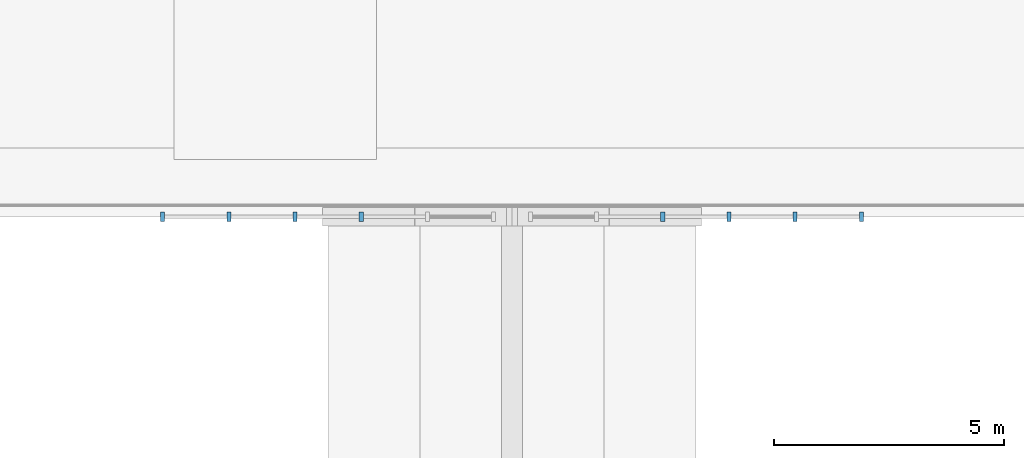
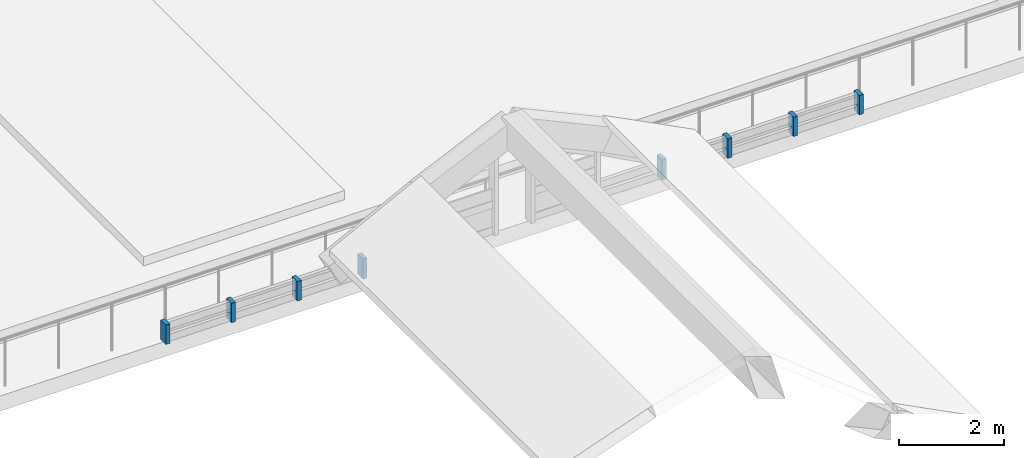
# One storey, part 30 of 49: 8 members, 2 elements without a shape of their own.
"""IFC4 building model written with IfcOpenShell, lengths in metres."""

from ifc_helpers import new_model, si_unit, direction, frame, origin, origin_2d, place, context, subcontext, project, spatial, rectangle, extrude, material, layer, layer_set, material_profile, profile_set, type_object, element, aggregate, save


model = new_model("IFC4")

# Units and contexts
model_context = context("Model", 3, precision=1e-05, world=origin(), true_north=direction((0.0, 1.0)))
body_context = subcontext(model_context, "Body", "Model", "MODEL_VIEW")
ifc_project = project(units=[si_unit("LENGTHUNIT", "METRE"), si_unit("AREAUNIT", "SQUARE_METRE"), si_unit("VOLUMEUNIT", "CUBIC_METRE"), si_unit("PLANEANGLEUNIT", "RADIAN"), si_unit("MASSUNIT", "GRAM", prefix="KILO")], contexts=[model_context])

# Site, building, storey
site_placement = place(None, origin())
site = spatial("IfcSite", under=ifc_project, at=site_placement, CompositionType="ELEMENT")
building_placement = place(site_placement, origin())
building = spatial("IfcBuilding", under=site, at=building_placement, Name="Sitalva Quay Ferry Terminal", CompositionType="ELEMENT")
storey_placement = place(building_placement, frame((0.0, 0.0, 10.199951171875)))
storey = spatial("IfcBuildingStorey", under=building, at=storey_placement, Name="L03", CompositionType="ELEMENT", Elevation=10.199951171875)

# Curtain wall, members
ifc_material_1 = material(Name="Anodised Aluminium & Low-E Glazing", Category="aluminium")
ifc_layer = layer(ifc_material_1, 0.159912109375)
ifc_layer_set = layer_set([ifc_layer], Name="Anodised Aluminium & Low-E Glazing")
curtain_wall_type = type_object("IfcCurtainWallType", Name="CW_Gable_Unitised", PredefinedType="USERDEFINED", material=ifc_layer_set)
curtain_wall_1_placement = place(storey_placement, origin())
curtain_wall_1 = element("IfcCurtainWall", 1, at=curtain_wall_1_placement, inside=storey, type_object=curtain_wall_type, Name="V1 north clerestory pointed gable (CW-L03-010)", ObjectType="CURTAIN_WALL", PredefinedType="USERDEFINED")
ifc_material_2 = material(Name="Anodised Aluminium 6063-T6", Category="aluminium")
ifc_material_profile = material_profile(ifc_material_2, rectangle(XDim=0.090087890625, YDim=0.199951171875, at=origin_2d()), Name="ALU90x200")
ifc_profile_set = profile_set([ifc_material_profile], Name="Anodised Aluminium 6063-T6")
member_type = type_object("IfcMemberType", Name="Mullion_Alu_90x200", PredefinedType="MULLION", material=ifc_profile_set)
member_1_placement = place(storey_placement, frame((50.39990234375, 100.0, 0.0), z_axis=(0.0, 0.0, 1.0), x_axis=(1.0, 0.0, 0.0)))
member_1 = element("IfcMember", 2, at=member_1_placement, type_object=member_type, Name="CW-L03-010-M0", PredefinedType="MULLION", context=body_context, shape_type="SweptSolid", body=[
    extrude(rectangle(XDim=0.090087890625, YDim=0.199951171875, at=origin_2d()), origin(), (0.0, 0.0, 1.0), 0.449951171875),
])
member_2_placement = place(storey_placement, frame((51.840087890625, 100.0, 0.0), z_axis=(0.0, 0.0, 1.0), x_axis=(1.0, 0.0, 0.0)))
member_2 = element("IfcMember", 3, at=member_2_placement, type_object=member_type, Name="CW-L03-010-M1", PredefinedType="MULLION", context=body_context, shape_type="SweptSolid", body=[
    extrude(rectangle(XDim=0.090087890625, YDim=0.199951171875, at=origin_2d()), origin(), (0.0, 0.0, 1.0), 0.449951171875),
])
member_3_placement = place(storey_placement, frame((53.280029296875, 100.0, 0.0), z_axis=(0.0, 0.0, 1.0), x_axis=(1.0, 0.0, 0.0)))
member_3 = element("IfcMember", 4, at=member_3_placement, type_object=member_type, Name="CW-L03-010-M2", PredefinedType="MULLION", context=body_context, shape_type="SweptSolid", body=[
    extrude(rectangle(XDim=0.090087890625, YDim=0.199951171875, at=origin_2d()), origin(), (0.0, 0.0, 1.0), 0.449951171875),
])
member_4_placement = place(storey_placement, frame((54.719970703125, 100.0, 0.0), z_axis=(0.0, 0.0, 1.0), x_axis=(1.0, 0.0, 0.0)))
member_4 = element("IfcMember", 5, at=member_4_placement, type_object=member_type, Name="CW-L03-010-M3", PredefinedType="MULLION", context=body_context, shape_type="SweptSolid", body=[
    extrude(rectangle(XDim=0.090087890625, YDim=0.199951171875, at=origin_2d()), origin(), (0.0, 0.0, 1.0), 0.47021484375),
])
aggregate(curtain_wall_1, [member_1, member_2, member_3, member_4])

curtain_wall_2_placement = place(storey_placement, origin())
curtain_wall_2 = element("IfcCurtainWall", 6, at=curtain_wall_2_placement, inside=storey, type_object=curtain_wall_type, Name="V1 north clerestory pointed gable (CW-L03-011)", ObjectType="CURTAIN_WALL", PredefinedType="USERDEFINED")
member_5_placement = place(storey_placement, frame((61.280029296875, 100.0, 0.0), z_axis=(0.0, 0.0, 1.0), x_axis=(1.0, 0.0, 0.0)))
member_5 = element("IfcMember", 7, at=member_5_placement, type_object=member_type, Name="CW-L03-011-M2", PredefinedType="MULLION", context=body_context, shape_type="SweptSolid", body=[
    extrude(rectangle(XDim=0.090087890625, YDim=0.199951171875, at=origin_2d()), origin(), (0.0, 0.0, 1.0), 0.47021484375),
])
member_6_placement = place(storey_placement, frame((62.719970703125, 100.0, 0.0), z_axis=(0.0, 0.0, 1.0), x_axis=(1.0, 0.0, 0.0)))
member_6 = element("IfcMember", 8, at=member_6_placement, type_object=member_type, Name="CW-L03-011-M3", PredefinedType="MULLION", context=body_context, shape_type="SweptSolid", body=[
    extrude(rectangle(XDim=0.090087890625, YDim=0.199951171875, at=origin_2d()), origin(), (0.0, 0.0, 1.0), 0.449951171875),
])
member_7_placement = place(storey_placement, frame((64.159912109375, 100.0, 0.0), z_axis=(0.0, 0.0, 1.0), x_axis=(1.0, 0.0, 0.0)))
member_7 = element("IfcMember", 9, at=member_7_placement, type_object=member_type, Name="CW-L03-011-M4", PredefinedType="MULLION", context=body_context, shape_type="SweptSolid", body=[
    extrude(rectangle(XDim=0.090087890625, YDim=0.199951171875, at=origin_2d()), origin(), (0.0, 0.0, 1.0), 0.449951171875),
])
member_8_placement = place(storey_placement, frame((65.60009765625, 100.0, 0.0), z_axis=(0.0, 0.0, 1.0), x_axis=(1.0, 0.0, 0.0)))
member_8 = element("IfcMember", 10, at=member_8_placement, type_object=member_type, Name="CW-L03-011-M5", PredefinedType="MULLION", context=body_context, shape_type="SweptSolid", body=[
    extrude(rectangle(XDim=0.090087890625, YDim=0.199951171875, at=origin_2d()), origin(), (0.0, 0.0, 1.0), 0.449951171875),
])
aggregate(curtain_wall_2, [member_5, member_6, member_7, member_8])

save(model, "model.ifc")
